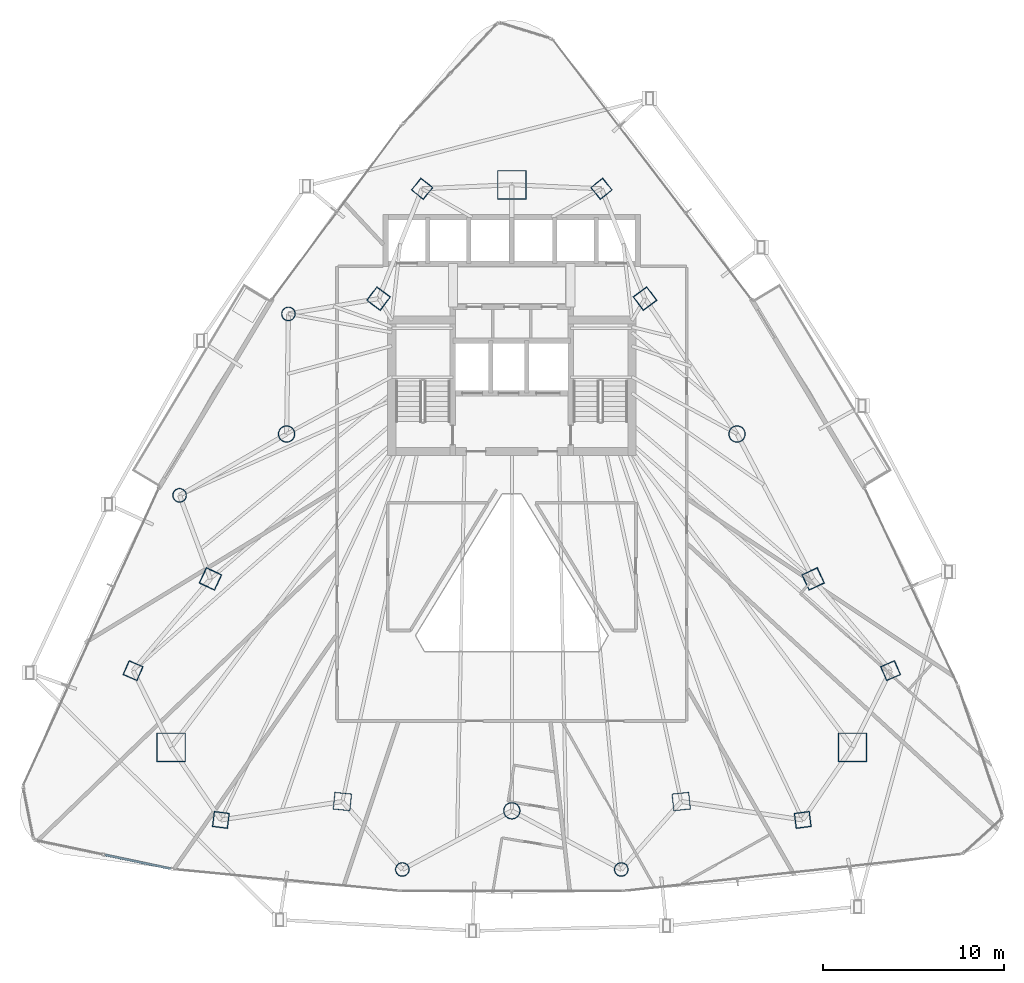
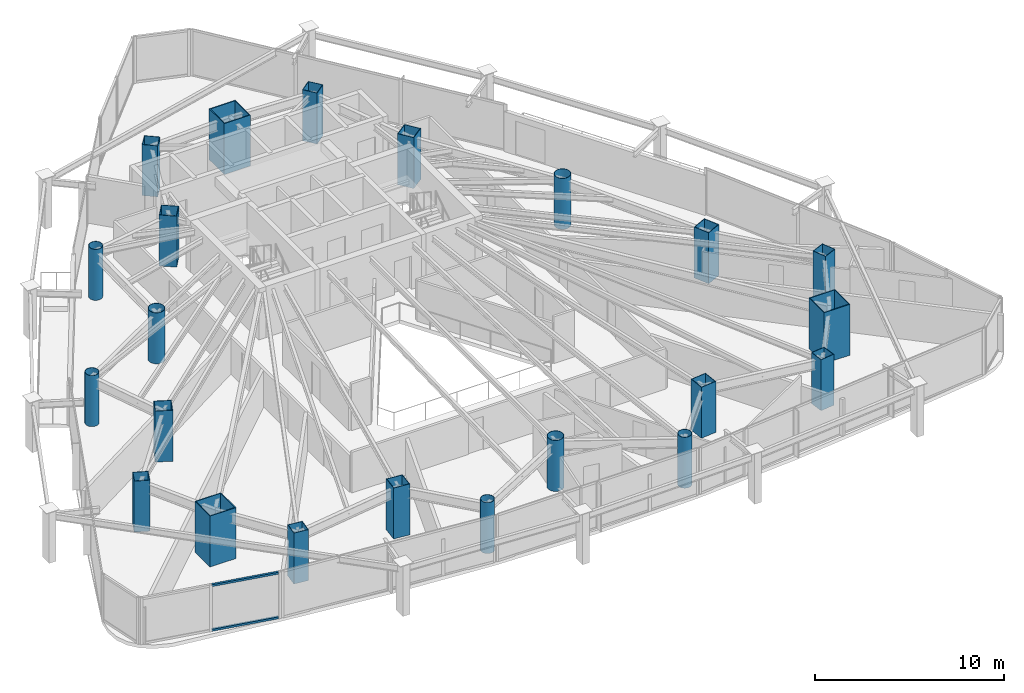
# One storey, part 1 of 33: 22 columns, 2 members, 1 element without a shape of its own.
"""IFC4 building model written with IfcOpenShell, lengths in metres."""

from ifc_helpers import new_model, si_unit, direction, frame, origin, origin_2d, place, context, subcontext, project, spatial, hollow_rectangle, hollow_circle, extrude, material, layer, layer_set, material_profile, profile_set, type_object, element, aggregate, save


model = new_model("IFC4")

# Units and contexts
model_context = context("Model", 3, precision=1e-05, world=origin(), true_north=direction((0.0, 1.0)))
body_context = subcontext(model_context, "Body", "Model", "MODEL_VIEW")
ifc_project = project(units=[si_unit("LENGTHUNIT", "METRE"), si_unit("AREAUNIT", "SQUARE_METRE"), si_unit("VOLUMEUNIT", "CUBIC_METRE"), si_unit("PLANEANGLEUNIT", "RADIAN"), si_unit("MASSUNIT", "GRAM", prefix="KILO")], contexts=[model_context])

# Site, building, storey
site_placement = place(None, origin())
site = spatial("IfcSite", under=ifc_project, at=site_placement, CompositionType="ELEMENT")
building_placement = place(site_placement, origin())
building = spatial("IfcBuilding", under=site, at=building_placement, Name="Orvanel Arch Residences", CompositionType="ELEMENT")
storey_placement = place(building_placement, frame((0.0, 0.0, 93.949951171875)))
storey = spatial("IfcBuildingStorey", under=building, at=storey_placement, Name="L26", CompositionType="ELEMENT", Elevation=93.949951171875)

# Columns
ifc_material_1 = material(Name="Structural steel AS/NZS 1163 C450L0 (Grade 450)", Category="steel")
ifc_material_profile_1 = material_profile(ifc_material_1, hollow_circle(Radius=0.381103515625, WallThickness=0.02197265625, at=origin_2d()), Name="CHS762x22")
ifc_profile_set_1 = profile_set([ifc_material_profile_1], Name="Structural steel AS/NZS 1163 C450L0 (Grade 450)")
column_type_1 = type_object("IfcColumnType", Name="CC-762", PredefinedType="COLUMN", material=ifc_profile_set_1)
for number, where, z_axis, x_axis, name in (
    (1, (20.669921875, 34.27099609375, 0.0), (0.0, 0.0, 1.0), (1.0, 0.0, 0.0), "L26 Low-Rise Buttress Tube Column 01"),
    (2, (14.662109375, 24.256103515625, 0.0), (0.0, 0.0, 1.0), (1.0, 0.0, 0.0), "L26 Low-Rise Buttress Tube Column 02"),
    (3, (26.9580078125, 3.60498046875, 0.0), (0.0, 0.0, 1.0), (1.0, 0.0, 0.0), "L26 Low-Rise Buttress Tube Column 03"),
    (4, (39.0419921875, 3.60498046875, 0.0), (0.0, 0.0, 1.0), (1.0, 0.0, 0.0), "L26 Low-Rise Buttress Tube Column 04"),
):
    element("IfcColumn", number, at=place(storey_placement, frame(where, z_axis=z_axis, x_axis=x_axis)), inside=storey, type_object=column_type_1, Name=name, PredefinedType="COLUMN", context=body_context, shape_type="SweptSolid", body=[
        extrude(hollow_circle(Radius=0.381103515625, WallThickness=0.02197265625, at=origin_2d()), origin(), (0.0, 0.0, 1.0), 3.300048828125),
    ])
ifc_material_profile_2 = material_profile(ifc_material_1, hollow_circle(Radius=0.45703125, WallThickness=0.02490234375, at=origin_2d()), Name="CHS914x25")
ifc_profile_set_2 = profile_set([ifc_material_profile_2], Name="Structural steel AS/NZS 1163 C450L0 (Grade 450)")
column_type_2 = type_object("IfcColumnType", Name="CC-914", PredefinedType="COLUMN", material=ifc_profile_set_2)
for number, where, z_axis, x_axis, name in (
    (5, (20.569091796875, 27.64111328125, 0.0), (0.0, 0.0, 1.0), (1.0, 0.0, 0.0), "L26 High-Rise Tube Column 02"),
    (6, (33.0, 6.843994140625, 0.0), (0.0, 0.0, 1.0), (1.0, 0.0, 0.0), "L26 High-Rise Tube Column 05"),
    (7, (45.430908203125, 27.64111328125, 0.0), (0.0, 0.0, 1.0), (1.0, 0.0, 0.0), "L26 High-Rise Tube Column 08"),
):
    element("IfcColumn", number, at=place(storey_placement, frame(where, z_axis=z_axis, x_axis=x_axis)), inside=storey, type_object=column_type_2, Name=name, PredefinedType="COLUMN", context=body_context, shape_type="SweptSolid", body=[
        extrude(hollow_circle(Radius=0.45703125, WallThickness=0.02490234375, at=origin_2d()), origin(), (0.0, 0.0, 1.0), 3.300048828125),
    ])
ifc_material_2 = material(Name="Structural steel AS/NZS 3678 Grade 450", Category="steel")
ifc_material_profile_3 = material_profile(ifc_material_2, hollow_rectangle(XDim=1.60009765625, YDim=1.60009765625, WallThickness=0.050048828125, at=origin_2d()), Name="BOX1600x1600x50")
ifc_profile_set_3 = profile_set([ifc_material_profile_3], Name="Structural steel AS/NZS 3678 Grade 450")
column_type_3 = type_object("IfcColumnType", Name="MC-1600", PredefinedType="COLUMN", material=ifc_profile_set_3)
for number, where, z_axis, x_axis, name in (
    (8, (33.0, 41.39794921875, 0.0), (0.0, 0.0, 1.0), (1.0, 0.0, 0.0), "L26 Corner Mega-Column 1"),
    (9, (14.198974609375, 10.35107421875, 0.0), (0.0, 0.0, 1.0), (1.0, 0.0, 0.0), "L26 Corner Mega-Column 2"),
    (10, (51.801025390625, 10.35107421875, 0.0), (0.0, 0.0, 1.0), (1.0, 0.0, 0.0), "L26 Corner Mega-Column 3"),
):
    element("IfcColumn", number, at=place(storey_placement, frame(where, z_axis=z_axis, x_axis=x_axis)), inside=storey, type_object=column_type_3, Name=name, PredefinedType="COLUMN", context=body_context, shape_type="SweptSolid", body=[
        extrude(hollow_rectangle(XDim=1.60009765625, YDim=1.60009765625, WallThickness=0.050048828125, at=origin_2d()), origin(), (0.0, 0.0, 1.0), 3.300048828125),
    ])
ifc_material_3 = material(Name="Structural steel AS/NZS 3678 Grade 350", Category="steel")
ifc_material_profile_4 = material_profile(ifc_material_3, hollow_rectangle(XDim=0.85009765625, YDim=0.85009765625, WallThickness=0.028076171875, at=origin_2d()), Name="BOX850x850x28")
ifc_profile_set_4 = profile_set([ifc_material_profile_4], Name="Structural steel AS/NZS 3678 Grade 350")
column_type_4 = type_object("IfcColumnType", Name="TC-850", PredefinedType="COLUMN", material=ifc_profile_set_4)
for number, where, z_axis, x_axis, name in (
    (11, (28.050048828125, 41.177978515625, 0.0), (0.0, 0.0, 1.0), (0.623879596709, 0.781520472419, 0.0), "L26 Mid-Rise Buttress Tube Column 01"),
    (12, (12.094970703125, 14.580078125, 0.0), (0.0, 0.0, 1.0), (0.397147890635, 0.917754625684, 0.0), "L26 Mid-Rise Buttress Tube Column 02"),
    (13, (16.94091796875, 6.339111328125, 0.0), (0.0, 0.0, 1.0), (-0.99189444259, 0.127064608601, 0.0), "L26 Mid-Rise Buttress Tube Column 03"),
    (14, (49.05908203125, 6.339111328125, 0.0), (0.0, 0.0, 1.0), (0.99189444259, 0.127064608601, 0.0), "L26 Mid-Rise Buttress Tube Column 04"),
    (15, (53.905029296875, 14.580078125, 0.0), (0.0, 0.0, 1.0), (-0.397147890635, 0.917754625684, 0.0), "L26 Mid-Rise Buttress Tube Column 05"),
    (16, (37.949951171875, 41.177978515625, 0.0), (0.0, 0.0, 1.0), (-0.623879596709, 0.781520472419, 0.0), "L26 Mid-Rise Buttress Tube Column 06"),
):
    element("IfcColumn", number, at=place(storey_placement, frame(where, z_axis=z_axis, x_axis=x_axis)), inside=storey, type_object=column_type_4, Name=name, PredefinedType="COLUMN", context=body_context, shape_type="SweptSolid", body=[
        extrude(hollow_rectangle(XDim=0.85009765625, YDim=0.85009765625, WallThickness=0.028076171875, at=origin_2d()), origin(), (0.0, 0.0, 1.0), 3.300048828125),
    ])
ifc_material_profile_5 = material_profile(ifc_material_3, hollow_rectangle(XDim=0.949951171875, YDim=0.949951171875, WallThickness=0.031982421875, at=origin_2d()), Name="BOX950x950x32")
ifc_profile_set_5 = profile_set([ifc_material_profile_5], Name="Structural steel AS/NZS 3678 Grade 350")
column_type_5 = type_object("IfcColumnType", Name="TC-950", PredefinedType="COLUMN", material=ifc_profile_set_5)
for number, where, z_axis, x_axis, name in (
    (17, (25.64794921875, 35.113037109375, 0.0), (0.0, 0.0, 1.0), (0.600420225326, 0.799684658487, 0.0), "L26 High-Rise Tube Column 01"),
    (18, (16.366943359375, 19.64208984375, 0.0), (0.0, 0.0, 1.0), (0.422618261741, 0.906307787037, 0.0), "L26 High-Rise Tube Column 03"),
    (19, (23.64892578125, 7.35498046875, 0.0), (0.0, 0.0, 1.0), (-0.994880708829, 0.101056297183, 0.0), "L26 High-Rise Tube Column 04"),
    (20, (42.35107421875, 7.35498046875, 0.0), (0.0, 0.0, 1.0), (0.994880708829, 0.101056297183, 0.0), "L26 High-Rise Tube Column 06"),
    (21, (49.633056640625, 19.64208984375, 0.0), (0.0, 0.0, 1.0), (-0.422618261741, 0.906307787037, 0.0), "L26 High-Rise Tube Column 07"),
    (22, (40.35205078125, 35.113037109375, 0.0), (0.0, 0.0, 1.0), (-0.600420225326, 0.799684658487, 0.0), "L26 High-Rise Tube Column 09"),
):
    element("IfcColumn", number, at=place(storey_placement, frame(where, z_axis=z_axis, x_axis=x_axis)), inside=storey, type_object=column_type_5, Name=name, PredefinedType="COLUMN", context=body_context, shape_type="SweptSolid", body=[
        extrude(hollow_rectangle(XDim=0.949951171875, YDim=0.949951171875, WallThickness=0.031982421875, at=origin_2d()), origin(), (0.0, 0.0, 1.0), 3.300048828125),
    ])

# Curtain wall, members
ifc_material_4 = material(Name="Bronze-anodised aluminium AA6063-T6", Category="aluminium")
ifc_layer = layer(ifc_material_4, 0.18994140625)
ifc_layer_set = layer_set([ifc_layer], Name="Bronze-anodised aluminium AA6063-T6")
curtain_wall_type = type_object("IfcCurtainWallType", Name="CW5-CRN-SYS", PredefinedType="NOTDEFINED", material=ifc_layer_set)
curtain_wall_placement = place(storey_placement, origin())
curtain_wall = element("IfcCurtainWall", 23, at=curtain_wall_placement, inside=storey, type_object=curtain_wall_type, Name="L26 CW5-CRN-SYS Unitised Curtain Wall", PredefinedType="NOTDEFINED")
ifc_material_profile_6 = material_profile(ifc_material_4, hollow_rectangle(XDim=0.1298828125, YDim=0.1298828125, WallThickness=0.00439453125, at=origin_2d()), Name="ALU130x130x4.5")
ifc_profile_set_6 = profile_set([ifc_material_profile_6], Name="Bronze-anodised aluminium AA6063-T6")
member_type = type_object("IfcMemberType", Name="TRN-130x130", PredefinedType="USERDEFINED", material=ifc_profile_set_6)
member_1_placement = place(storey_placement, frame((10.54931640625, 4.41162109375, 0.06494140625), z_axis=(0.97870586565, -0.205267699706, 0.0), x_axis=(0.205267699706, 0.97870586565, 0.0)))
member_1 = element("IfcMember", 24, at=member_1_placement, type_object=member_type, Name="CW-S5 transom 2.1", ObjectType="TRANSOM", PredefinedType="USERDEFINED", context=body_context, shape_type="SweptSolid", body=[
    extrude(hollow_rectangle(XDim=0.1298828125, YDim=0.1298828125, WallThickness=0.00439453125, at=origin_2d()), origin(), (0.0, 0.0, 1.0), 3.7109375),
])
member_2_placement = place(storey_placement, frame((10.54931640625, 4.41162109375, 2.955078125), z_axis=(0.97870586565, -0.205267699706, 0.0), x_axis=(0.205267699706, 0.97870586565, 0.0)))
member_2 = element("IfcMember", 25, at=member_2_placement, type_object=member_type, Name="CW-S5 transom 2.2", ObjectType="TRANSOM", PredefinedType="USERDEFINED", context=body_context, shape_type="SweptSolid", body=[
    extrude(hollow_rectangle(XDim=0.1298828125, YDim=0.1298828125, WallThickness=0.00439453125, at=origin_2d()), origin(), (0.0, 0.0, 1.0), 3.7109375),
])
aggregate(curtain_wall, [member_1, member_2])

save(model, "model.ifc")
